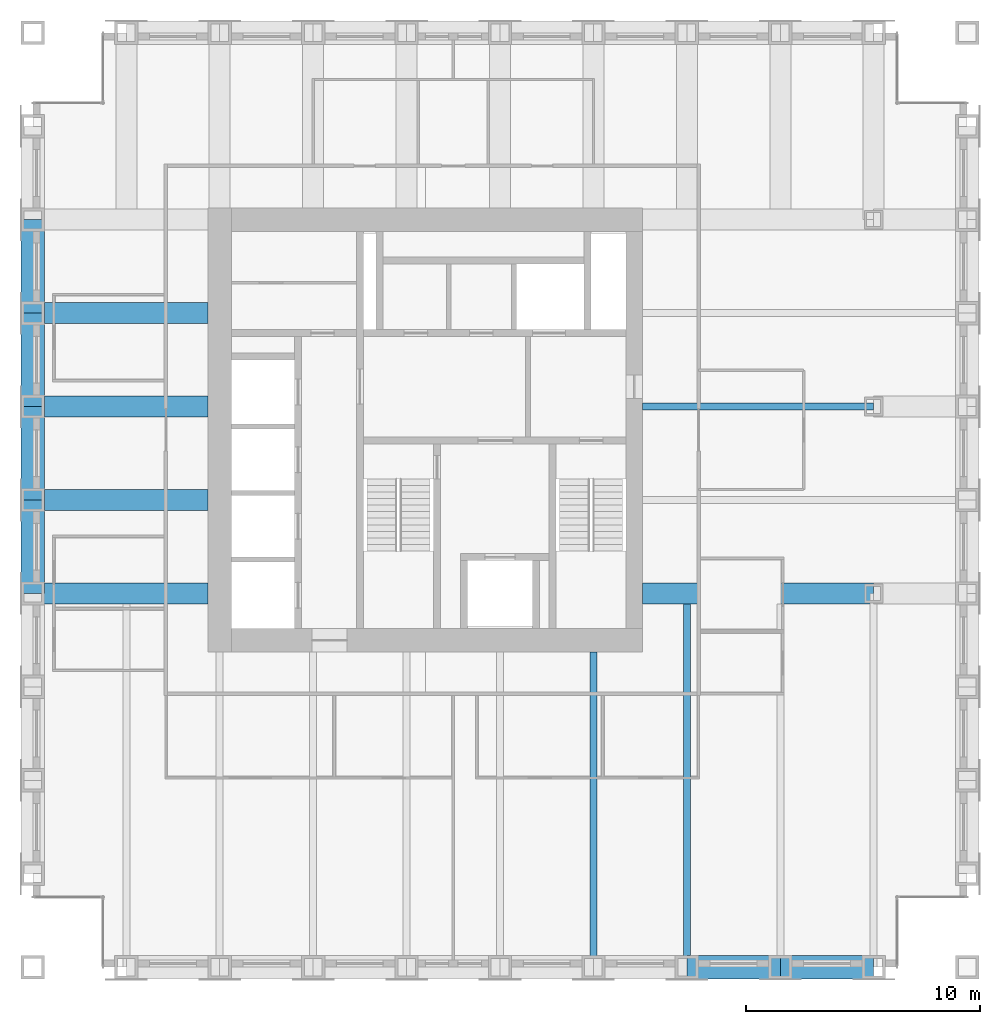
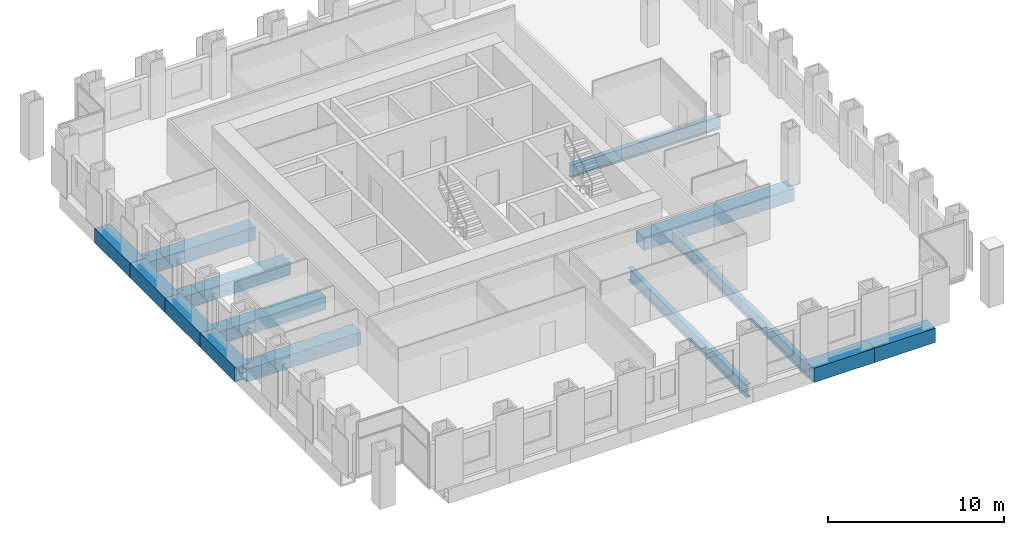
# One storey, part 3 of 12: 14 beams.
"""IFC4 building model written with IfcOpenShell, lengths in metres."""

from ifc_helpers import new_model, si_unit, direction, frame, origin, origin_2d, place, context, subcontext, project, spatial, hollow_rectangle, i_section, extrude, material, material_profile, profile_set, type_object, element, save


model = new_model("IFC4")

# Units and contexts
model_context = context("Model", 3, precision=1e-05, world=origin(), true_north=direction((0.0, 1.0)))
body_context = subcontext(model_context, "Body", "Model", "MODEL_VIEW")
ifc_project = project(units=[si_unit("LENGTHUNIT", "METRE"), si_unit("AREAUNIT", "SQUARE_METRE"), si_unit("VOLUMEUNIT", "CUBIC_METRE"), si_unit("PLANEANGLEUNIT", "RADIAN"), si_unit("MASSUNIT", "GRAM", prefix="KILO")], contexts=[model_context])

# Site, building, storey
site_placement = place(None, origin())
site = spatial("IfcSite", under=ifc_project, at=site_placement, CompositionType="ELEMENT")
building_placement = place(site_placement, origin())
building = spatial("IfcBuilding", under=site, at=building_placement, Name="Rimbunsela Tower", CompositionType="ELEMENT")
storey_placement = place(building_placement, frame((0.0, 0.0, 266.199951171875)))
storey = spatial("IfcBuildingStorey", under=building, at=storey_placement, Name="L64", CompositionType="ELEMENT", Elevation=266.199951171875)

# Beams
ifc_material_1 = material(Name="Steel BJ 55 (fy 410 MPa)", Category="steel")
ifc_material_profile_1 = material_profile(ifc_material_1, hollow_rectangle(XDim=1.0, YDim=1.0, WallThickness=0.10009765625, at=origin_2d()), Name="BOX 1000x1000x100")
ifc_profile_set_1 = profile_set([ifc_material_profile_1], Name="Steel BJ 55 (fy 410 MPa)")
beam_type_1 = type_object("IfcBeamType", Name="Beam BOX 1000x1000x100", PredefinedType="BEAM", material=ifc_profile_set_1)
for number, where, z_axis, x_axis, name in (
    (1, (10.0, 20.0, -0.64990234375), (0.0, 1.0, 0.0), (-1.0, 0.0, 0.0), "Beam B3 L64"),
    (2, (10.0, 24.0, -0.64990234375), (0.0, 1.0, 0.0), (-1.0, 0.0, 0.0), "Beam B3 L64"),
    (3, (10.0, 28.0, -0.64990234375), (0.0, 1.0, 0.0), (-1.0, 0.0, 0.0), "Beam B3 L64"),
    (4, (10.0, 32.0, -0.64990234375), (0.0, 1.0, 0.0), (-1.0, 0.0, 0.0), "Beam B3 L64"),
    (5, (38.0, 4.0, -0.64990234375), (1.0, 0.0, 0.0), (0.0, 1.0, 0.0), "Beam B3 L64"),
    (6, (42.0, 4.0, -0.64990234375), (1.0, 0.0, 0.0), (0.0, 1.0, 0.0), "Beam B3 L64"),
):
    element("IfcBeam", number, at=place(storey_placement, frame(where, z_axis=z_axis, x_axis=x_axis)), inside=storey, type_object=beam_type_1, Name=name, PredefinedType="BEAM", context=body_context, shape_type="SweptSolid", body=[
        extrude(hollow_rectangle(XDim=1.0, YDim=1.0, WallThickness=0.10009765625, at=origin_2d()), origin(), (0.0, 0.0, 1.0), 4.0),
    ])
ifc_material_2 = material(Name="Steel BJ 55 (fy 410 MPa)", Category="steel")
ifc_material_profile_2 = material_profile(ifc_material_2, hollow_rectangle(XDim=0.89990234375, YDim=0.89990234375, WallThickness=0.06005859375, at=origin_2d()), Name="BOX 900x900x60")
ifc_profile_set_2 = profile_set([ifc_material_profile_2], Name="Steel BJ 55 (fy 410 MPa)")
beam_type_2 = type_object("IfcBeamType", Name="Beam BOX 900x900x60", PredefinedType="BEAM", material=ifc_profile_set_2)
for number, where, z_axis, x_axis, name in (
    (7, (10.0, 20.0, -0.599853515625), (1.0, 0.0, 0.0), (0.0, 1.0, 0.0), "Beam B1 L64"),
    (8, (10.0, 24.0, -0.599853515625), (1.0, 0.0, 0.0), (0.0, 1.0, 0.0), "Beam B1 L64"),
    (9, (10.0, 28.0, -0.599853515625), (1.0, 0.0, 0.0), (0.0, 1.0, 0.0), "Beam B1 L64"),
    (10, (10.0, 32.0, -0.599853515625), (1.0, 0.0, 0.0), (0.0, 1.0, 0.0), "Beam B1 L64"),
):
    element("IfcBeam", number, at=place(storey_placement, frame(where, z_axis=z_axis, x_axis=x_axis)), inside=storey, type_object=beam_type_2, Name=name, PredefinedType="BEAM", context=body_context, shape_type="SweptSolid", body=[
        extrude(hollow_rectangle(XDim=0.89990234375, YDim=0.89990234375, WallThickness=0.06005859375, at=origin_2d()), origin(), (0.0, 0.0, 1.0), 7.5),
    ])
beam_1_placement = place(storey_placement, frame((36.10009765625, 20.0, -0.599853515625), z_axis=(1.0, 0.0, 0.0), x_axis=(0.0, 1.0, 0.0)))
element("IfcBeam", 11, at=beam_1_placement, inside=storey, type_object=beam_type_2, Name="Beam B1 L64", PredefinedType="BEAM", context=body_context, shape_type="SweptSolid", body=[
    extrude(hollow_rectangle(XDim=0.89990234375, YDim=0.89990234375, WallThickness=0.06005859375, at=origin_2d()), origin(), (0.0, 0.0, 1.0), 9.89990234375),
])
ifc_material_3 = material(Name="Steel BJ 55 (fy 410 MPa)", Category="steel")
ifc_material_profile_3 = material_profile(ifc_material_3, i_section(OverallWidth=0.300048828125, OverallDepth=0.89990234375, WebThickness=0.01611328125, FlangeThickness=0.028076171875, FilletRadius=0.028076171875, at=origin_2d()), Name="H 900x300x16x28")
ifc_profile_set_3 = profile_set([ifc_material_profile_3], Name="Steel BJ 55 (fy 410 MPa)")
beam_type_3 = type_object("IfcBeamType", Name="Beam H 900x300x16x28", PredefinedType="BEAM", material=ifc_profile_set_3)
beam_2_placement = place(storey_placement, frame((34.0, 4.0, -0.599853515625), z_axis=(0.0, 1.0, 0.0), x_axis=(-1.0, 0.0, 0.0)))
element("IfcBeam", 12, at=beam_2_placement, inside=storey, type_object=beam_type_3, Name="Beam B2 L64", PredefinedType="BEAM", context=body_context, shape_type="SweptSolid", body=[
    extrude(i_section(OverallWidth=0.300048828125, OverallDepth=0.89990234375, WebThickness=0.01611328125, FlangeThickness=0.028076171875, FilletRadius=0.028076171875, at=origin_2d()), origin(), (0.0, 0.0, 1.0), 13.5),
])
beam_3_placement = place(storey_placement, frame((36.10009765625, 28.0, -0.599853515625), z_axis=(1.0, 0.0, 0.0), x_axis=(0.0, 1.0, 0.0)))
element("IfcBeam", 13, at=beam_3_placement, inside=storey, type_object=beam_type_3, Name="Beam B2 L64", PredefinedType="BEAM", context=body_context, shape_type="SweptSolid", body=[
    extrude(i_section(OverallWidth=0.300048828125, OverallDepth=0.89990234375, WebThickness=0.01611328125, FlangeThickness=0.028076171875, FilletRadius=0.028076171875, at=origin_2d()), origin(), (0.0, 0.0, 1.0), 9.89990234375),
])
beam_4_placement = place(storey_placement, frame((38.0, 4.0, -0.599853515625), z_axis=(0.0, 1.0, 0.0), x_axis=(-1.0, 0.0, 0.0)))
element("IfcBeam", 14, at=beam_4_placement, inside=storey, type_object=beam_type_3, Name="Beam B2 L64", PredefinedType="BEAM", context=body_context, shape_type="SweptSolid", body=[
    extrude(i_section(OverallWidth=0.300048828125, OverallDepth=0.89990234375, WebThickness=0.01611328125, FlangeThickness=0.028076171875, FilletRadius=0.028076171875, at=origin_2d()), origin(), (0.0, 0.0, 1.0), 15.550048828125),
])

save(model, "model.ifc")
